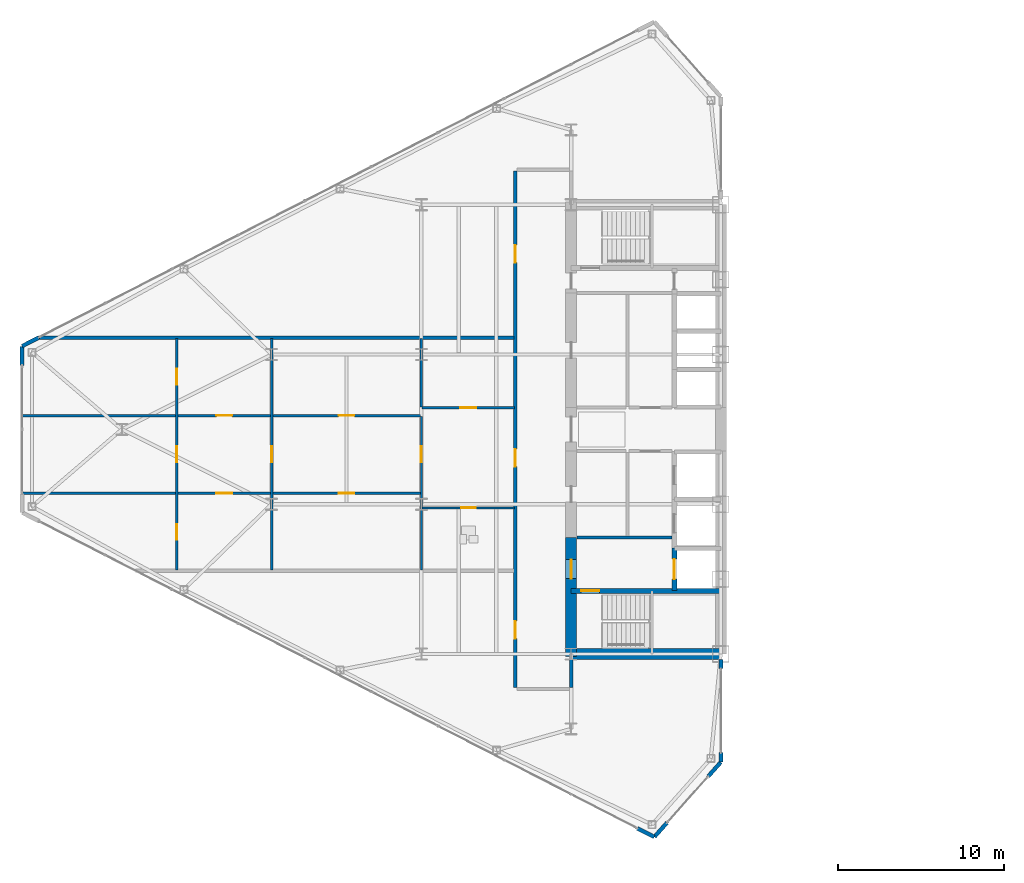
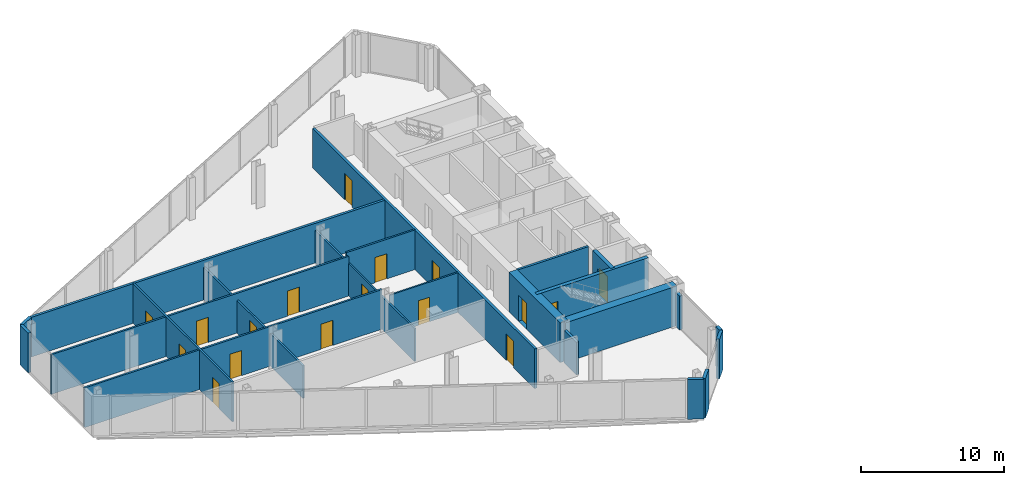
# One storey, part 16 of 23: 23 walls, 17 doors, 17 openings.
"""IFC4 building model written with IfcOpenShell, lengths in metres."""

from ifc_helpers import new_model, si_unit, direction, frame, frame_2d, origin, place, context, subcontext, project, spatial, rectangle, extrude, source, transform, mapped, material, layer, layer_set, type_object, type_shapes, element, fill, save


model = new_model("IFC4")

# Units and contexts
model_context = context("Model", 3, precision=1e-05, world=origin(), true_north=direction((0.0, 1.0)))
body_context = subcontext(model_context, "Body", "Model", "MODEL_VIEW")
ifc_project = project(units=[si_unit("LENGTHUNIT", "METRE"), si_unit("AREAUNIT", "SQUARE_METRE"), si_unit("VOLUMEUNIT", "CUBIC_METRE"), si_unit("PLANEANGLEUNIT", "RADIAN"), si_unit("MASSUNIT", "GRAM", prefix="KILO")], contexts=[model_context])

# Site, building, storey
site_placement = place(None, origin())
site = spatial("IfcSite", under=ifc_project, at=site_placement, CompositionType="ELEMENT")
building_placement = place(site_placement, origin())
building = spatial("IfcBuilding", under=site, at=building_placement, Name="Seokmaru Belvedere", CompositionType="ELEMENT")
storey_placement = place(building_placement, frame((0.0, 0.0, 128.39990234375)))
storey = spatial("IfcBuildingStorey", under=building, at=storey_placement, Name="L34", CompositionType="ELEMENT", Elevation=128.39990234375)

# Wall, openings, doors
ifc_material_1 = material(Name="Fire-Rated Gypsum Shaftwall")
ifc_layer_1 = layer(ifc_material_1, 0.14990234375)
ifc_layer_set_1 = layer_set([ifc_layer_1], Name="Fire-Rated Gypsum Shaftwall")
wall_type_1 = type_object("IfcWallType", Name="Apartment Fire-Acoustic Room Partition 150", PredefinedType="PARTITIONING", material=ifc_layer_set_1)
wall_1_placement = place(storey_placement, frame((-69.534912109375, -3.830078125, 0.0), z_axis=(0.0, 0.0, 1.0), x_axis=(1.0, 0.0, 0.0)))
wall_1 = element("IfcWall", 1, at=wall_1_placement, inside=storey, type_object=wall_type_1, Name="L34 Interior Partition 013", PredefinedType="PARTITIONING", context=body_context, shape_type="SweptSolid", body=[
    extrude(rectangle(XDim=23.98486328125, YDim=0.14990234375, at=frame_2d((11.992431640625, 0.0))), origin(), (0.0, 0.0, 1.0), 3.380126953125),
])
opening_1_placement = place(wall_1_placement, frame((19.06005859375, 0.0, 0.0)))
opening_1 = element("IfcOpeningElement", 2, at=opening_1_placement, cuts=wall_1, Name="Opening D05", PredefinedType="OPENING", context=body_context, shape_type="SweptSolid", body=[
    extrude(rectangle(XDim=0.949951171875, YDim=2.14990234375, at=frame_2d((0.47509765625, 1.074951171875))), frame((0.0, 0.0849609375, 0.0), z_axis=(0.0, -1.0, 0.0), x_axis=(1.0, 0.0, 0.0)), (0.0, 0.0, 1.0), 0.169921875),
])
opening_2_placement = place(wall_1_placement, frame((11.7099609375, 0.0, 0.0)))
opening_2 = element("IfcOpeningElement", 3, at=opening_2_placement, cuts=wall_1, Name="Opening D05", PredefinedType="OPENING", context=body_context, shape_type="SweptSolid", body=[
    extrude(rectangle(XDim=0.949951171875, YDim=2.14990234375, at=frame_2d((0.47509765625, 1.074951171875))), frame((0.0, 0.0849609375, 0.0), z_axis=(0.0, -1.0, 0.0), x_axis=(1.0, 0.0, 0.0)), (0.0, 0.0, 1.0), 0.169921875),
])
ifc_material_2 = material(Name="Engineered White Oak Timber", Category="wood")
door_type_1 = type_object("IfcDoorType", Name="Apartment Interior Fire-Rated Oak Door 950x2150", OperationType="NOTDEFINED", PredefinedType="DOOR", material=ifc_material_2)
shared_shape_1 = source(origin(), body_context, "Body", "SweptSolid", [
    extrude(rectangle(XDim=0.949951171875, YDim=2.14990234375, at=frame_2d((0.47509765625, 1.074951171875))), frame((0.0, 0.02490234375, 0.0), z_axis=(0.0, -1.0, 0.0), x_axis=(1.0, 0.0, 0.0)), (0.0, 0.0, 1.0), 0.050048828125),
])
type_shapes(door_type_1, [shared_shape_1])
door_1_placement = place(opening_1_placement, origin())
door_1 = element("IfcDoor", 4, at=door_1_placement, inside=storey, type_object=door_type_1, Name="L34 Interior Door 007", OperationType="SINGLE_SWING_RIGHT", OverallHeight=2.14990234375, OverallWidth=0.949951171875, PredefinedType="DOOR", context=body_context, shape_type="MappedRepresentation", body=[
    mapped(shared_shape_1, transform((0.0, 0.0, 0.0), scale=1.0)),
])
fill(opening_1, door_1)
door_2_placement = place(opening_2_placement, origin())
door_2 = element("IfcDoor", 5, at=door_2_placement, inside=storey, type_object=door_type_1, Name="L34 Interior Door 009", OperationType="SINGLE_SWING_LEFT", OverallHeight=2.14990234375, OverallWidth=0.949951171875, PredefinedType="DOOR", context=body_context, shape_type="MappedRepresentation", body=[
    mapped(shared_shape_1, transform((0.0, 0.0, 0.0), scale=1.0)),
])
fill(opening_2, door_2)

wall_2_placement = place(storey_placement, frame((-69.534912109375, 0.830078125, 0.0), z_axis=(0.0, 0.0, 1.0), x_axis=(1.0, 0.0, 0.0)))
wall_2 = element("IfcWall", 6, at=wall_2_placement, inside=storey, type_object=wall_type_1, Name="L34 Interior Partition 016", PredefinedType="PARTITIONING", context=body_context, shape_type="SweptSolid", body=[
    extrude(rectangle(XDim=23.98486328125, YDim=0.14990234375, at=frame_2d((11.992431640625, 0.0))), origin(), (0.0, 0.0, 1.0), 3.380126953125),
])
opening_3_placement = place(wall_2_placement, frame((19.06005859375, 0.0, 0.0)))
opening_3 = element("IfcOpeningElement", 7, at=opening_3_placement, cuts=wall_2, Name="Opening D05", PredefinedType="OPENING", context=body_context, shape_type="SweptSolid", body=[
    extrude(rectangle(XDim=0.949951171875, YDim=2.14990234375, at=frame_2d((0.47509765625, 1.074951171875))), frame((0.0, 0.0849609375, 0.0), z_axis=(0.0, -1.0, 0.0), x_axis=(1.0, 0.0, 0.0)), (0.0, 0.0, 1.0), 0.169921875),
])
opening_4_placement = place(wall_2_placement, frame((11.7099609375, 0.0, 0.0)))
opening_4 = element("IfcOpeningElement", 8, at=opening_4_placement, cuts=wall_2, Name="Opening D05", PredefinedType="OPENING", context=body_context, shape_type="SweptSolid", body=[
    extrude(rectangle(XDim=0.949951171875, YDim=2.14990234375, at=frame_2d((0.47509765625, 1.074951171875))), frame((0.0, 0.0849609375, 0.0), z_axis=(0.0, -1.0, 0.0), x_axis=(1.0, 0.0, 0.0)), (0.0, 0.0, 1.0), 0.169921875),
])
door_3_placement = place(opening_3_placement, origin())
door_3 = element("IfcDoor", 9, at=door_3_placement, inside=storey, type_object=door_type_1, Name="L34 Interior Door 008", OperationType="SINGLE_SWING_LEFT", OverallHeight=2.14990234375, OverallWidth=0.949951171875, PredefinedType="DOOR", context=body_context, shape_type="MappedRepresentation", body=[
    mapped(shared_shape_1, transform((0.0, 0.0, 0.0), scale=1.0)),
])
fill(opening_3, door_3)
door_4_placement = place(opening_4_placement, origin())
door_4 = element("IfcDoor", 10, at=door_4_placement, inside=storey, type_object=door_type_1, Name="L34 Interior Door 012", OperationType="SINGLE_SWING_LEFT", OverallHeight=2.14990234375, OverallWidth=0.949951171875, PredefinedType="DOOR", context=body_context, shape_type="MappedRepresentation", body=[
    mapped(shared_shape_1, transform((0.0, 0.0, 0.0), scale=1.0)),
])
fill(opening_4, door_4)

# Wall, opening, door
wall_3_placement = place(storey_placement, frame((-45.449951171875, 1.300048828125, 0.0), z_axis=(0.0, 0.0, 1.0), x_axis=(1.0, 0.0, 0.0)))
wall_3 = element("IfcWall", 11, at=wall_3_placement, inside=storey, type_object=wall_type_1, Name="L34 Interior Partition 017", PredefinedType="PARTITIONING", context=body_context, shape_type="SweptSolid", body=[
    extrude(rectangle(XDim=5.550048828125, YDim=0.14990234375, at=frame_2d((2.77490234375, 0.0))), origin(), (0.0, 0.0, 1.0), 3.380126953125),
])
opening_5_placement = place(wall_3_placement, frame((2.300048828125, 0.0, 0.0)))
opening_5 = element("IfcOpeningElement", 12, at=opening_5_placement, cuts=wall_3, Name="Opening D05", PredefinedType="OPENING", context=body_context, shape_type="SweptSolid", body=[
    extrude(rectangle(XDim=0.949951171875, YDim=2.14990234375, at=frame_2d((0.47509765625, 1.074951171875))), frame((0.0, 0.0849609375, 0.0), z_axis=(0.0, -1.0, 0.0), x_axis=(1.0, 0.0, 0.0)), (0.0, 0.0, 1.0), 0.169921875),
])
door_5_placement = place(opening_5_placement, origin())
door_5 = element("IfcDoor", 13, at=door_5_placement, inside=storey, type_object=door_type_1, Name="L34 Interior Door 004", OperationType="SINGLE_SWING_LEFT", OverallHeight=2.14990234375, OverallWidth=0.949951171875, PredefinedType="DOOR", context=body_context, shape_type="MappedRepresentation", body=[
    mapped(shared_shape_1, transform((0.0, 0.0, 0.0), scale=1.0)),
])
fill(opening_5, door_5)

# Wall, openings, doors
wall_4_placement = place(storey_placement, frame((-60.199951171875, -8.449951171875, 0.0), z_axis=(0.0, 0.0, 1.0), x_axis=(0.0, 1.0, 0.0)))
wall_4 = element("IfcWall", 14, at=wall_4_placement, inside=storey, type_object=wall_type_1, Name="L34 Interior Partition 022", PredefinedType="PARTITIONING", context=body_context, shape_type="SweptSolid", body=[
    extrude(rectangle(XDim=13.89990234375, YDim=0.14990234375, at=frame_2d((6.949951171875, 0.0))), origin(), (0.0, 0.0, 1.0), 3.380126953125),
])
opening_6_placement = place(wall_4_placement, frame((1.808349609375, 0.0, 0.0)))
opening_6 = element("IfcOpeningElement", 15, at=opening_6_placement, cuts=wall_4, Name="Opening D05", PredefinedType="OPENING", context=body_context, shape_type="SweptSolid", body=[
    extrude(rectangle(XDim=0.949951171875, YDim=2.14990234375, at=frame_2d((0.47509765625, 1.074951171875))), frame((0.0, 0.0849609375, 0.0), z_axis=(0.0, -1.0, 0.0), x_axis=(1.0, 0.0, 0.0)), (0.0, 0.0, 1.0), 0.169921875),
])
opening_7_placement = place(wall_4_placement, frame((6.47509765625, 0.0, 0.0)))
opening_7 = element("IfcOpeningElement", 16, at=opening_7_placement, cuts=wall_4, Name="Opening D05", PredefinedType="OPENING", context=body_context, shape_type="SweptSolid", body=[
    extrude(rectangle(XDim=0.949951171875, YDim=2.14990234375, at=frame_2d((0.47509765625, 1.074951171875))), frame((0.0, 0.0849609375, 0.0), z_axis=(0.0, -1.0, 0.0), x_axis=(1.0, 0.0, 0.0)), (0.0, 0.0, 1.0), 0.169921875),
])
opening_8_placement = place(wall_4_placement, frame((11.1416015625, 0.0, 0.0)))
opening_8 = element("IfcOpeningElement", 17, at=opening_8_placement, cuts=wall_4, Name="Opening D05", PredefinedType="OPENING", context=body_context, shape_type="SweptSolid", body=[
    extrude(rectangle(XDim=0.949951171875, YDim=2.14990234375, at=frame_2d((0.47509765625, 1.074951171875))), frame((0.0, 0.0849609375, 0.0), z_axis=(0.0, -1.0, 0.0), x_axis=(1.0, 0.0, 0.0)), (0.0, 0.0, 1.0), 0.169921875),
])
door_6_placement = place(opening_6_placement, origin())
door_6 = element("IfcDoor", 18, at=door_6_placement, inside=storey, type_object=door_type_1, Name="L34 Interior Door 010", OperationType="SINGLE_SWING_RIGHT", OverallHeight=2.14990234375, OverallWidth=0.949951171875, PredefinedType="DOOR", context=body_context, shape_type="MappedRepresentation", body=[
    mapped(shared_shape_1, transform((0.0, 0.0, 0.0), scale=1.0)),
])
fill(opening_6, door_6)
door_7_placement = place(opening_7_placement, origin())
door_7 = element("IfcDoor", 19, at=door_7_placement, inside=storey, type_object=door_type_1, Name="L34 Interior Door 011", OperationType="SINGLE_SWING_RIGHT", OverallHeight=2.14990234375, OverallWidth=0.949951171875, PredefinedType="DOOR", context=body_context, shape_type="MappedRepresentation", body=[
    mapped(shared_shape_1, transform((0.0, 0.0, 0.0), scale=1.0)),
])
fill(opening_7, door_7)
door_8_placement = place(opening_8_placement, origin())
door_8 = element("IfcDoor", 20, at=door_8_placement, inside=storey, type_object=door_type_1, Name="L34 Interior Door 013", OperationType="SINGLE_SWING_RIGHT", OverallHeight=2.14990234375, OverallWidth=0.949951171875, PredefinedType="DOOR", context=body_context, shape_type="MappedRepresentation", body=[
    mapped(shared_shape_1, transform((0.0, 0.0, 0.0), scale=1.0)),
])
fill(opening_8, door_8)

# Wall, opening, door
wall_5_placement = place(storey_placement, frame((-54.5, -8.449951171875, 0.0), z_axis=(0.0, 0.0, 1.0), x_axis=(0.0, 1.0, 0.0)))
wall_5 = element("IfcWall", 21, at=wall_5_placement, inside=storey, type_object=wall_type_1, Name="L34 Interior Partition 023", PredefinedType="PARTITIONING", context=body_context, shape_type="SweptSolid", body=[
    extrude(rectangle(XDim=13.89990234375, YDim=0.14990234375, at=frame_2d((6.949951171875, 0.0))), origin(), (0.0, 0.0, 1.0), 2.780029296875),
])
opening_9_placement = place(wall_5_placement, frame((6.47509765625, 0.0, 0.0)))
opening_9 = element("IfcOpeningElement", 22, at=opening_9_placement, cuts=wall_5, Name="Opening D05", PredefinedType="OPENING", context=body_context, shape_type="SweptSolid", body=[
    extrude(rectangle(XDim=0.949951171875, YDim=2.14990234375, at=frame_2d((0.47509765625, 1.074951171875))), frame((0.0, 0.0849609375, 0.0), z_axis=(0.0, -1.0, 0.0), x_axis=(1.0, 0.0, 0.0)), (0.0, 0.0, 1.0), 0.169921875),
])
door_9_placement = place(opening_9_placement, origin())
door_9 = element("IfcDoor", 23, at=door_9_placement, inside=storey, type_object=door_type_1, Name="L34 Interior Door 006", OperationType="SINGLE_SWING_LEFT", OverallHeight=2.14990234375, OverallWidth=0.949951171875, PredefinedType="DOOR", context=body_context, shape_type="MappedRepresentation", body=[
    mapped(shared_shape_1, transform((0.0, 0.0, 0.0), scale=1.0)),
])
fill(opening_9, door_9)

# Walls
wall_6_placement = place(storey_placement, frame((-45.5, 1.35205078125, 0.0), z_axis=(0.0, 0.0, 1.0), x_axis=(0.0, 1.0, 0.0)))
element("IfcWall", 24, at=wall_6_placement, inside=storey, type_object=wall_type_1, Name="L34 Interior Partition 025", PredefinedType="PARTITIONING", context=body_context, shape_type="SweptSolid", body=[
    extrude(rectangle(XDim=4.097900390625, YDim=0.14990234375, at=frame_2d((2.048828125, 0.0))), origin(), (0.0, 0.0, 1.0), 2.780029296875),
])
ifc_layer_2 = layer(ifc_material_1, 0.179931640625)
ifc_layer_set_2 = layer_set([ifc_layer_2], Name="Fire-Rated Gypsum Shaftwall")
wall_type_2 = type_object("IfcWallType", Name="Core Service Fire Partition 180", PredefinedType="PARTITIONING", material=ifc_layer_set_2)
wall_7_placement = place(storey_placement, frame((-36.14990234375, -6.5, 0.0), z_axis=(0.0, 0.0, 1.0), x_axis=(1.0, 0.0, 0.0)))
element("IfcWall", 25, at=wall_7_placement, inside=storey, type_object=wall_type_2, Name="L34 West Firefighting Lobby Partition", PredefinedType="PARTITIONING", context=body_context, shape_type="SweptSolid", body=[
    extrude(rectangle(XDim=5.699951171875, YDim=0.179931640625, at=frame_2d((2.85009765625, 0.0))), origin(), (0.0, 0.0, 1.0), 3.380126953125),
])
ifc_layer_3 = layer(ifc_material_1, 0.199951171875)
ifc_layer_set_3 = layer_set([ifc_layer_3], Name="Fire-Rated Gypsum Shaftwall")
wall_type_3 = type_object("IfcWallType", Name="Inter-Tenancy Fire Compartment Partition 200", PredefinedType="PARTITIONING", material=ifc_layer_set_3)
wall_8_placement = place(storey_placement, frame((-68.45849609375, 5.5, 0.0), z_axis=(0.0, 0.0, 1.0), x_axis=(1.0, 0.0, 0.0)))
element("IfcWall", 26, at=wall_8_placement, inside=storey, type_object=wall_type_3, Name="L34 Interior Partition 019", PredefinedType="PARTITIONING", context=body_context, shape_type="SweptSolid", body=[
    extrude(rectangle(XDim=28.528564453125, YDim=0.199951171875, at=frame_2d((14.26416015625, 0.0))), origin(), (0.0, 0.0, 1.0), 3.380126953125),
])

# Wall, openings, doors
wall_9_placement = place(storey_placement, frame((-39.85009765625, -15.514892578125, 0.0), z_axis=(0.0, 0.0, 1.0), x_axis=(0.0, 1.0, 0.0)))
wall_9 = element("IfcWall", 27, at=wall_9_placement, inside=storey, type_object=wall_type_3, Name="L34 Interior Partition 026", PredefinedType="PARTITIONING", context=body_context, shape_type="SweptSolid", body=[
    extrude(rectangle(XDim=31.02978515625, YDim=0.199951171875, at=frame_2d((15.514892578125, 0.0))), origin(), (0.0, 0.0, 1.0), 3.380126953125),
])
opening_10_placement = place(wall_9_placement, frame((2.93994140625, 0.0, 0.0)))
opening_10 = element("IfcOpeningElement", 28, at=opening_10_placement, cuts=wall_9, Name="Opening D03", PredefinedType="OPENING", context=body_context, shape_type="SweptSolid", body=[
    extrude(rectangle(XDim=1.050048828125, YDim=2.25, at=frame_2d((0.52490234375, 1.125))), frame((0.0, 0.10986328125, 0.0), z_axis=(0.0, -1.0, 0.0), x_axis=(1.0, 0.0, 0.0)), (0.0, 0.0, 1.0), 0.219970703125),
])
opening_11_placement = place(wall_9_placement, frame((13.280029296875, 0.0, 0.0)))
opening_11 = element("IfcOpeningElement", 29, at=opening_11_placement, cuts=wall_9, Name="Opening D03", PredefinedType="OPENING", context=body_context, shape_type="SweptSolid", body=[
    extrude(rectangle(XDim=1.050048828125, YDim=2.25, at=frame_2d((0.52490234375, 1.125))), frame((0.0, 0.10986328125, 0.0), z_axis=(0.0, -1.0, 0.0), x_axis=(1.0, 0.0, 0.0)), (0.0, 0.0, 1.0), 0.219970703125),
])
opening_12_placement = place(wall_9_placement, frame((25.5400390625, 0.0, 0.0)))
opening_12 = element("IfcOpeningElement", 30, at=opening_12_placement, cuts=wall_9, Name="Opening D03", PredefinedType="OPENING", context=body_context, shape_type="SweptSolid", body=[
    extrude(rectangle(XDim=1.050048828125, YDim=2.25, at=frame_2d((0.52490234375, 1.125))), frame((0.0, 0.10986328125, 0.0), z_axis=(0.0, -1.0, 0.0), x_axis=(1.0, 0.0, 0.0)), (0.0, 0.0, 1.0), 0.219970703125),
])
ifc_material_3 = material(Name="Fire-Rated Steel Leaf", Category="steel")
door_type_2 = type_object("IfcDoorType", Name="Apartment Entrance Fire Door 1050x2250", OperationType="NOTDEFINED", PredefinedType="DOOR", material=ifc_material_3)
shared_shape_2 = source(origin(), body_context, "Body", "SweptSolid", [
    extrude(rectangle(XDim=1.050048828125, YDim=2.25, at=frame_2d((0.52490234375, 1.125))), frame((0.0, 0.02490234375, 0.0), z_axis=(0.0, -1.0, 0.0), x_axis=(1.0, 0.0, 0.0)), (0.0, 0.0, 1.0), 0.050048828125),
])
type_shapes(door_type_2, [shared_shape_2])
door_10_placement = place(opening_10_placement, origin())
door_10 = element("IfcDoor", 31, at=door_10_placement, inside=storey, type_object=door_type_2, Name="L34 Interior Door 001", OperationType="SINGLE_SWING_RIGHT", OverallHeight=2.25, OverallWidth=1.050048828125, PredefinedType="DOOR", context=body_context, shape_type="MappedRepresentation", body=[
    mapped(shared_shape_2, transform((0.0, 0.0, 0.0), scale=1.0)),
])
fill(opening_10, door_10)
door_11_placement = place(opening_11_placement, origin())
door_11 = element("IfcDoor", 32, at=door_11_placement, inside=storey, type_object=door_type_2, Name="L34 Interior Door 002", OperationType="SINGLE_SWING_LEFT", OverallHeight=2.25, OverallWidth=1.050048828125, PredefinedType="DOOR", context=body_context, shape_type="MappedRepresentation", body=[
    mapped(shared_shape_2, transform((0.0, 0.0, 0.0), scale=1.0)),
])
fill(opening_11, door_11)
door_12_placement = place(opening_12_placement, origin())
door_12 = element("IfcDoor", 33, at=door_12_placement, inside=storey, type_object=door_type_2, Name="L34 Interior Door 014", OperationType="SINGLE_SWING_RIGHT", OverallHeight=2.25, OverallWidth=1.050048828125, PredefinedType="DOOR", context=body_context, shape_type="MappedRepresentation", body=[
    mapped(shared_shape_2, transform((0.0, 0.0, 0.0), scale=1.0)),
])
fill(opening_12, door_12)

# Wall
wall_10_placement = place(storey_placement, frame((-36.5, -15.514892578125, 0.0), z_axis=(0.0, 0.0, 1.0), x_axis=(0.0, 1.0, 0.0)))
element("IfcWall", 34, at=wall_10_placement, inside=storey, type_object=wall_type_3, Name="L34 Interior Partition 027", PredefinedType="PARTITIONING", context=body_context, shape_type="SweptSolid", body=[
    extrude(rectangle(XDim=1.684814453125, YDim=0.199951171875, at=frame_2d((0.84228515625, 0.0))), origin(), (0.0, 0.0, 1.0), 2.780029296875),
])

# Wall, opening, door
ifc_material_4 = material(Name="Concrete C50 (50 MPa)", Category="concrete")
ifc_layer_4 = layer(ifc_material_4, 0.300048828125)
ifc_layer_set_4 = layer_set([ifc_layer_4], Name="Concrete C50 (50 MPa)")
wall_type_4 = type_object("IfcWallType", Name="Internal Core Stair and Hoistway Wall 300", PredefinedType="SHEAR", material=ifc_layer_set_4)
wall_11_placement = place(storey_placement, frame((-36.5, -9.699951171875, 0.0), z_axis=(0.0, 0.0, 1.0), x_axis=(1.0, 0.0, 0.0)))
wall_11 = element("IfcWall", 35, at=wall_11_placement, inside=storey, type_object=wall_type_4, Name="L34 West Stair ST-1 Enclosure Wall", PredefinedType="SHEAR", context=body_context, shape_type="SweptSolid", body=[
    extrude(rectangle(XDim=9.0, YDim=0.300048828125, at=frame_2d((4.5, 0.0))), origin(), (0.0, 0.0, 1.0), 3.380126953125),
])
opening_13_placement = place(wall_11_placement, frame((0.60009765625, 0.0, 0.0)))
opening_13 = element("IfcOpeningElement", 36, at=opening_13_placement, cuts=wall_11, Name="Opening D01", PredefinedType="OPENING", context=body_context, shape_type="SweptSolid", body=[
    extrude(rectangle(XDim=1.10009765625, YDim=2.199951171875, at=frame_2d((0.550048828125, 1.10009765625))), frame((0.0, 0.16015625, 0.0), z_axis=(0.0, -1.0, 0.0), x_axis=(1.0, 0.0, 0.0)), (0.0, 0.0, 1.0), 0.320068359375),
])
door_type_3 = type_object("IfcDoorType", Name="Special Escape Stair Smokeproof Fire Door 1100x2200", OperationType="NOTDEFINED", PredefinedType="DOOR", material=ifc_material_3)
shared_shape_3 = source(origin(), body_context, "Body", "SweptSolid", [
    extrude(rectangle(XDim=1.10009765625, YDim=2.199951171875, at=frame_2d((0.550048828125, 1.10009765625))), frame((0.0, 0.02490234375, 0.0), z_axis=(0.0, -1.0, 0.0), x_axis=(1.0, 0.0, 0.0)), (0.0, 0.0, 1.0), 0.050048828125),
])
type_shapes(door_type_3, [shared_shape_3])
door_13_placement = place(opening_13_placement, frame((1.10009765625, 0.0, 0.0), z_axis=(0.0, 0.0, 1.0), x_axis=(-1.0, 0.0, 0.0)))
door_13 = element("IfcDoor", 37, at=door_13_placement, inside=storey, type_object=door_type_3, Name="L34 West Special Escape Stair ST-1 Door", OperationType="SINGLE_SWING_LEFT", OverallHeight=2.199951171875, OverallWidth=1.10009765625, PredefinedType="DOOR", context=body_context, shape_type="MappedRepresentation", body=[
    mapped(shared_shape_3, transform((0.0, 0.0, 0.0), scale=1.0)),
])
fill(opening_13, door_13)

wall_12_placement = place(storey_placement, frame((-30.300048828125, -9.679931640625, 0.0), z_axis=(0.0, 0.0, 1.0), x_axis=(0.0, 1.0, 0.0)))
wall_12 = element("IfcWall", 38, at=wall_12_placement, inside=storey, type_object=wall_type_4, Name="L34 West Firefighting Lift Shaft Front Wall", PredefinedType="SHEAR", context=body_context, shape_type="SweptSolid", body=[
    extrude(rectangle(XDim=2.559814453125, YDim=0.300048828125, at=frame_2d((1.27978515625, 0.0))), origin(), (0.0, 0.0, 1.0), 3.380126953125),
])
opening_14_placement = place(wall_12_placement, frame((0.679931640625, 0.0, 0.0)))
opening_14 = element("IfcOpeningElement", 39, at=opening_14_placement, cuts=wall_12, Name="Opening LD2", PredefinedType="OPENING", context=body_context, shape_type="SweptSolid", body=[
    extrude(rectangle(XDim=1.199951171875, YDim=2.25, at=frame_2d((0.60009765625, 1.125))), frame((0.0, 0.16015625, 0.0), z_axis=(0.0, -1.0, 0.0), x_axis=(1.0, 0.0, 0.0)), (0.0, 0.0, 1.0), 0.320068359375),
])
ifc_material_5 = material(Name="Stainless Steel 316", Category="steel")
door_type_4 = type_object("IfcDoorType", Name="Firefighting Lift Sliding Landing Door 1200x2250", OperationType="DOUBLE_DOOR_SLIDING", PredefinedType="DOOR", material=ifc_material_5)
shared_shape_4 = source(origin(), body_context, "Body", "SweptSolid", [
    extrude(rectangle(XDim=1.199951171875, YDim=2.25, at=frame_2d((0.60009765625, 1.125))), frame((0.0, 0.02490234375, 0.0), z_axis=(0.0, -1.0, 0.0), x_axis=(1.0, 0.0, 0.0)), (0.0, 0.0, 1.0), 0.050048828125),
])
type_shapes(door_type_4, [shared_shape_4])
door_14_placement = place(opening_14_placement, origin())
door_14 = element("IfcDoor", 40, at=door_14_placement, inside=storey, type_object=door_type_4, Name="L34 West Firefighting Lift Landing Door", OperationType="DOUBLE_DOOR_SLIDING", OverallHeight=2.25, OverallWidth=1.199951171875, PredefinedType="DOOR", context=body_context, shape_type="MappedRepresentation", body=[
    mapped(shared_shape_4, transform((0.0, 0.0, 0.0), scale=1.0)),
])
fill(opening_14, door_14)

# Wall
ifc_material_6 = material(Name="Concrete C60 (60 MPa)", Category="concrete")
ifc_layer_5 = layer(ifc_material_6, 0.64990234375)
ifc_layer_set_5 = layer_set([ifc_layer_5], Name="Concrete C60 (60 MPa)")
wall_type_5 = type_object("IfcWallType", Name="Mid-Low Reinforced Concrete Core Wall 650", PredefinedType="SHEAR", material=ifc_layer_set_5)
wall_13_placement = place(storey_placement, frame((-36.5, -13.5, 0.0), z_axis=(0.0, 0.0, 1.0), x_axis=(1.0, 0.0, 0.0)))
element("IfcWall", 41, at=wall_13_placement, inside=storey, type_object=wall_type_5, Name="L34 West South Core Wall", PredefinedType="SHEAR", context=body_context, shape_type="SweptSolid", body=[
    extrude(rectangle(XDim=9.0, YDim=0.64990234375, at=frame_2d((4.5, 0.0))), origin(), (0.0, 0.0, 1.0), 3.380126953125),
])

# Wall, opening, door
wall_14_placement = place(storey_placement, frame((-36.5, -13.64990234375, 0.0), z_axis=(0.0, 0.0, 1.0), x_axis=(0.0, 1.0, 0.0)))
wall_14 = element("IfcWall", 42, at=wall_14_placement, inside=storey, type_object=wall_type_5, Name="L34 West West Core Wall FF", PredefinedType="SHEAR", context=body_context, shape_type="SweptSolid", body=[
    extrude(rectangle(XDim=7.14990234375, YDim=0.64990234375, at=frame_2d((3.574951171875, 0.0))), origin(), (0.0, 0.0, 1.0), 3.380126953125),
])
opening_15_placement = place(wall_14_placement, frame((4.675048828125, 0.0, 0.0)))
opening_15 = element("IfcOpeningElement", 43, at=opening_15_placement, cuts=wall_14, Name="Opening D02", PredefinedType="OPENING", context=body_context, shape_type="SweptSolid", body=[
    extrude(rectangle(XDim=1.14990234375, YDim=2.199951171875, at=frame_2d((0.574951171875, 1.10009765625))), frame((0.0, 0.3349609375, 0.0), z_axis=(0.0, -1.0, 0.0), x_axis=(1.0, 0.0, 0.0)), (0.0, 0.0, 1.0), 0.669921875),
])
door_type_5 = type_object("IfcDoorType", Name="Lobby and Vestibule Fire Door 1150x2200", OperationType="NOTDEFINED", PredefinedType="DOOR", material=ifc_material_3)
shared_shape_5 = source(origin(), body_context, "Body", "SweptSolid", [
    extrude(rectangle(XDim=1.14990234375, YDim=2.199951171875, at=frame_2d((0.574951171875, 1.10009765625))), frame((0.0, 0.02490234375, 0.0), z_axis=(0.0, -1.0, 0.0), x_axis=(1.0, 0.0, 0.0)), (0.0, 0.0, 1.0), 0.050048828125),
])
type_shapes(door_type_5, [shared_shape_5])
door_15_placement = place(opening_15_placement, frame((1.14990234375, 0.0, 0.0), z_axis=(0.0, 0.0, 1.0), x_axis=(-1.0, 0.0, 0.0)))
door_15 = element("IfcDoor", 44, at=door_15_placement, inside=storey, type_object=door_type_5, Name="L34 West Firefighting Lobby Door", OperationType="SINGLE_SWING_LEFT", OverallHeight=2.199951171875, OverallWidth=1.14990234375, PredefinedType="DOOR", context=body_context, shape_type="MappedRepresentation", body=[
    mapped(shared_shape_5, transform((0.0, 0.0, 0.0), scale=1.0)),
])
fill(opening_15, door_15)

ifc_layer_6 = layer(ifc_material_1, 0.1298828125)
ifc_layer_set_6 = layer_set([ifc_layer_6], Name="Fire-Rated Gypsum Shaftwall")
wall_type_6 = type_object("IfcWallType", Name="Moisture-Resistant Fire-Rated Bathroom Partition 130", PredefinedType="PARTITIONING", material=ifc_layer_set_6)
wall_15_placement = place(storey_placement, frame((-45.449951171875, -4.719970703125, 0.0), z_axis=(0.0, 0.0, 1.0), x_axis=(1.0, 0.0, 0.0)))
wall_15 = element("IfcWall", 45, at=wall_15_placement, inside=storey, type_object=wall_type_6, Name="L34 Interior Partition 011", PredefinedType="PARTITIONING", context=body_context, shape_type="SweptSolid", body=[
    extrude(rectangle(XDim=5.550048828125, YDim=0.1298828125, at=frame_2d((2.77490234375, 0.0))), origin(), (0.0, 0.0, 1.0), 3.380126953125),
])
opening_16_placement = place(wall_15_placement, frame((2.3349609375, 0.0, 0.0)))
opening_16 = element("IfcOpeningElement", 46, at=opening_16_placement, cuts=wall_15, Name="Opening D06", PredefinedType="OPENING", context=body_context, shape_type="SweptSolid", body=[
    extrude(rectangle(XDim=0.8798828125, YDim=2.10009765625, at=frame_2d((0.43994140625, 1.050048828125))), frame((0.0, 0.074951171875, 0.0), z_axis=(0.0, -1.0, 0.0), x_axis=(1.0, 0.0, 0.0)), (0.0, 0.0, 1.0), 0.14990234375),
])
door_type_6 = type_object("IfcDoorType", Name="Bathroom and Restroom Fire-Rated Door 880x2100", OperationType="NOTDEFINED", PredefinedType="DOOR", material=ifc_material_2)
shared_shape_6 = source(origin(), body_context, "Body", "SweptSolid", [
    extrude(rectangle(XDim=0.8798828125, YDim=2.10009765625, at=frame_2d((0.43994140625, 1.050048828125))), frame((0.0, 0.02490234375, 0.0), z_axis=(0.0, -1.0, 0.0), x_axis=(1.0, 0.0, 0.0)), (0.0, 0.0, 1.0), 0.050048828125),
])
type_shapes(door_type_6, [shared_shape_6])
door_16_placement = place(opening_16_placement, origin())
door_16 = element("IfcDoor", 47, at=door_16_placement, inside=storey, type_object=door_type_6, Name="L34 Interior Door 003", OperationType="SINGLE_SWING_LEFT", OverallHeight=2.10009765625, OverallWidth=0.8798828125, PredefinedType="DOOR", context=body_context, shape_type="MappedRepresentation", body=[
    mapped(shared_shape_6, transform((0.0, 0.0, 0.0), scale=1.0)),
])
fill(opening_16, door_16)

wall_16_placement = place(storey_placement, frame((-45.5, -8.449951171875, 0.0), z_axis=(0.0, 0.0, 1.0), x_axis=(0.0, 1.0, 0.0)))
wall_16 = element("IfcWall", 48, at=wall_16_placement, inside=storey, type_object=wall_type_6, Name="L34 Interior Partition 024", PredefinedType="PARTITIONING", context=body_context, shape_type="SweptSolid", body=[
    extrude(rectangle(XDim=9.23291015625, YDim=0.1298828125, at=frame_2d((4.616455078125, 0.0))), origin(), (0.0, 0.0, 1.0), 2.780029296875),
])
opening_17_placement = place(wall_16_placement, frame((6.47509765625, 0.0, 0.0)))
opening_17 = element("IfcOpeningElement", 49, at=opening_17_placement, cuts=wall_16, Name="Opening D05", PredefinedType="OPENING", context=body_context, shape_type="SweptSolid", body=[
    extrude(rectangle(XDim=0.949951171875, YDim=2.14990234375, at=frame_2d((0.47509765625, 1.074951171875))), frame((0.0, 0.074951171875, 0.0), z_axis=(0.0, -1.0, 0.0), x_axis=(1.0, 0.0, 0.0)), (0.0, 0.0, 1.0), 0.14990234375),
])
door_17_placement = place(opening_17_placement, origin())
door_17 = element("IfcDoor", 50, at=door_17_placement, inside=storey, type_object=door_type_1, Name="L34 Interior Door 005", OperationType="SINGLE_SWING_RIGHT", OverallHeight=2.14990234375, OverallWidth=0.949951171875, PredefinedType="DOOR", context=body_context, shape_type="MappedRepresentation", body=[
    mapped(shared_shape_1, transform((0.0, 0.0, 0.0), scale=1.0)),
])
fill(opening_17, door_17)

# Walls
ifc_material_7 = material(Name="Anodised Bronze Aluminium", Category="aluminium")
ifc_layer_7 = layer(ifc_material_7, 0.239990234375)
ifc_layer_set_7 = layer_set([ifc_layer_7], Name="Anodised Bronze Aluminium")
wall_type_7 = type_object("IfcWallType", Name="Tower Corner Spandrel Closure Wall 240", PredefinedType="SOLIDWALL", material=ifc_layer_set_7)
wall_17_placement = place(storey_placement, frame((-27.5, -19.97998046875, 0.0), z_axis=(0.0, 0.0, 1.0), x_axis=(0.0, 1.0, 0.0)))
element("IfcWall", 51, at=wall_17_placement, inside=storey, type_object=wall_type_7, Name="L34 W Spine Closure Pier 1A", PredefinedType="SOLIDWALL", context=body_context, shape_type="SweptSolid", body=[
    extrude(rectangle(XDim=0.550048828125, YDim=0.239990234375, at=frame_2d((0.27490234375, 0.0))), origin(), (0.0, 0.0, 1.0), 3.380126953125),
])
wall_18_placement = place(storey_placement, frame((-27.5, -14.3798828125, 0.0), z_axis=(0.0, 0.0, 1.0), x_axis=(0.0, 1.0, 0.0)))
element("IfcWall", 52, at=wall_18_placement, inside=storey, type_object=wall_type_7, Name="L34 W Spine Closure Pier 1B", PredefinedType="SOLIDWALL", context=body_context, shape_type="SweptSolid", body=[
    extrude(rectangle(XDim=0.5498046875, YDim=0.239990234375, at=frame_2d((0.27490234375, 0.0))), origin(), (0.0, 0.0, 1.0), 2.880126953125),
])
wall_19_placement = place(storey_placement, frame((-68.476806640625, 5.52490234375, 0.0), z_axis=(0.0, 0.0, 1.0), x_axis=(-0.889797395748, -0.456355776255, 0.0)))
element("IfcWall", 53, at=wall_19_placement, inside=storey, type_object=wall_type_7, Name="L34 W Corner Closure Pier 3B", PredefinedType="SOLIDWALL", context=body_context, shape_type="SweptSolid", body=[
    extrude(rectangle(XDim=1.14013671875, YDim=0.239990234375, at=frame_2d((0.570068359375, 0.0))), origin(), (0.0, 0.0, 1.0), 3.380126953125),
])
wall_20_placement = place(storey_placement, frame((-69.5, 4.989990234375, 0.0), z_axis=(0.0, 0.0, 1.0), x_axis=(0.0, -1.0, 0.0)))
element("IfcWall", 54, at=wall_20_placement, inside=storey, type_object=wall_type_7, Name="L34 W Corner Closure Pier 4A", PredefinedType="SOLIDWALL", context=body_context, shape_type="SweptSolid", body=[
    extrude(rectangle(XDim=1.139892578125, YDim=0.239990234375, at=frame_2d((0.56982421875, 0.0))), origin(), (0.0, 0.0, 1.0), 3.380126953125),
])
wall_21_placement = place(storey_placement, frame((-32.523193359375, -23.97509765625, 0.0), z_axis=(0.0, 0.0, 1.0), x_axis=(0.889797395748, -0.456355776255, 0.0)))
element("IfcWall", 55, at=wall_21_placement, inside=storey, type_object=wall_type_7, Name="L34 W Corner Closure Pier 5B", PredefinedType="SOLIDWALL", context=body_context, shape_type="SweptSolid", body=[
    extrude(rectangle(XDim=1.14013671875, YDim=0.239990234375, at=frame_2d((0.570068359375, 0.0))), origin(), (0.0, 0.0, 1.0), 3.380126953125),
])
for number, where, z_axis, x_axis, name in (
    (56, (-31.493408203125, -24.492431640625, 0.0), (0.0, 0.0, 1.0), (0.664337252513, 0.747432950119, 0.0), "L34 W Corner Closure Pier 6A"),
    (57, (-28.263916015625, -20.859619140625, 0.0), (0.0, 0.0, 1.0), (0.664337252513, 0.747432950119, 0.0), "L34 W Corner Closure Pier 6B"),
):
    element("IfcWall", number, at=place(storey_placement, frame(where, z_axis=z_axis, x_axis=x_axis)), inside=storey, type_object=wall_type_7, Name=name, PredefinedType="SOLIDWALL", context=body_context, shape_type="SweptSolid", body=[
        extrude(rectangle(XDim=1.139892578125, YDim=0.239990234375, at=frame_2d((0.56982421875, 0.0))), origin(), (0.0, 0.0, 1.0), 3.380126953125),
    ])

save(model, "model.ifc")
